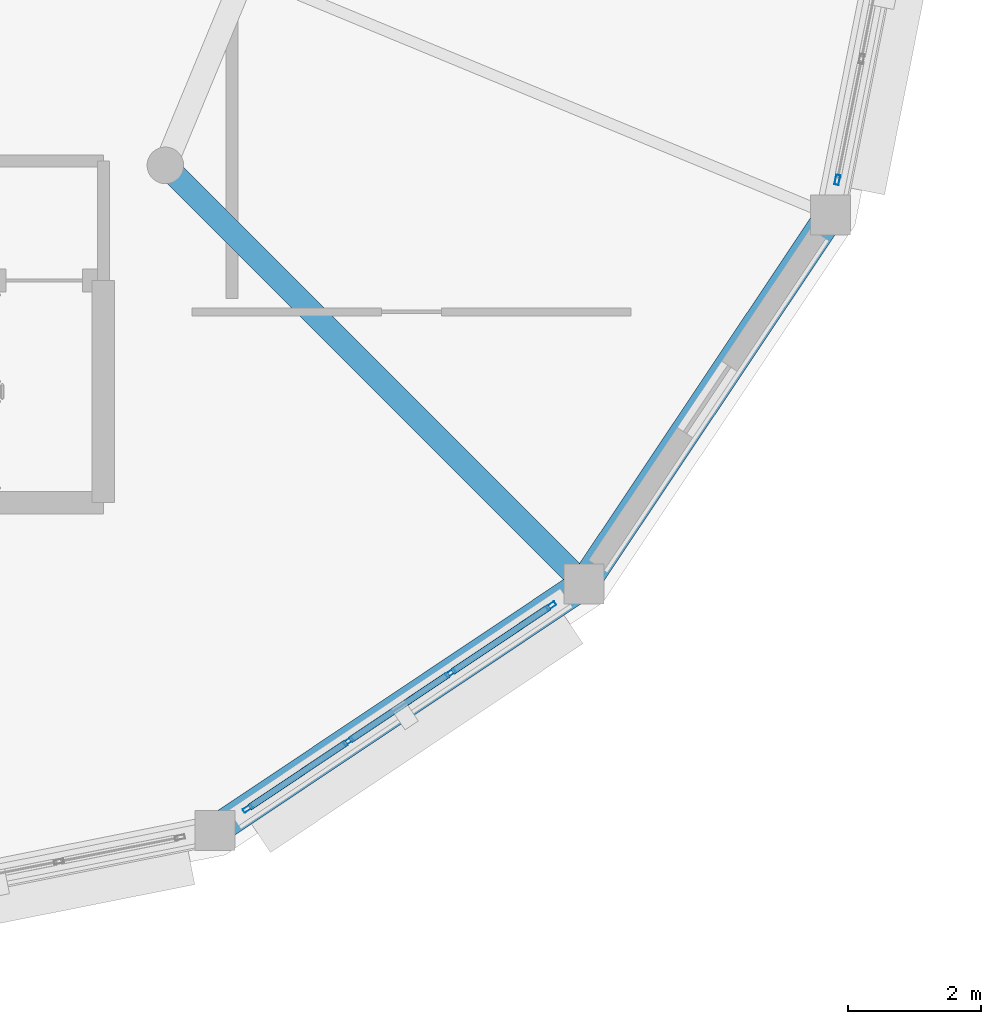
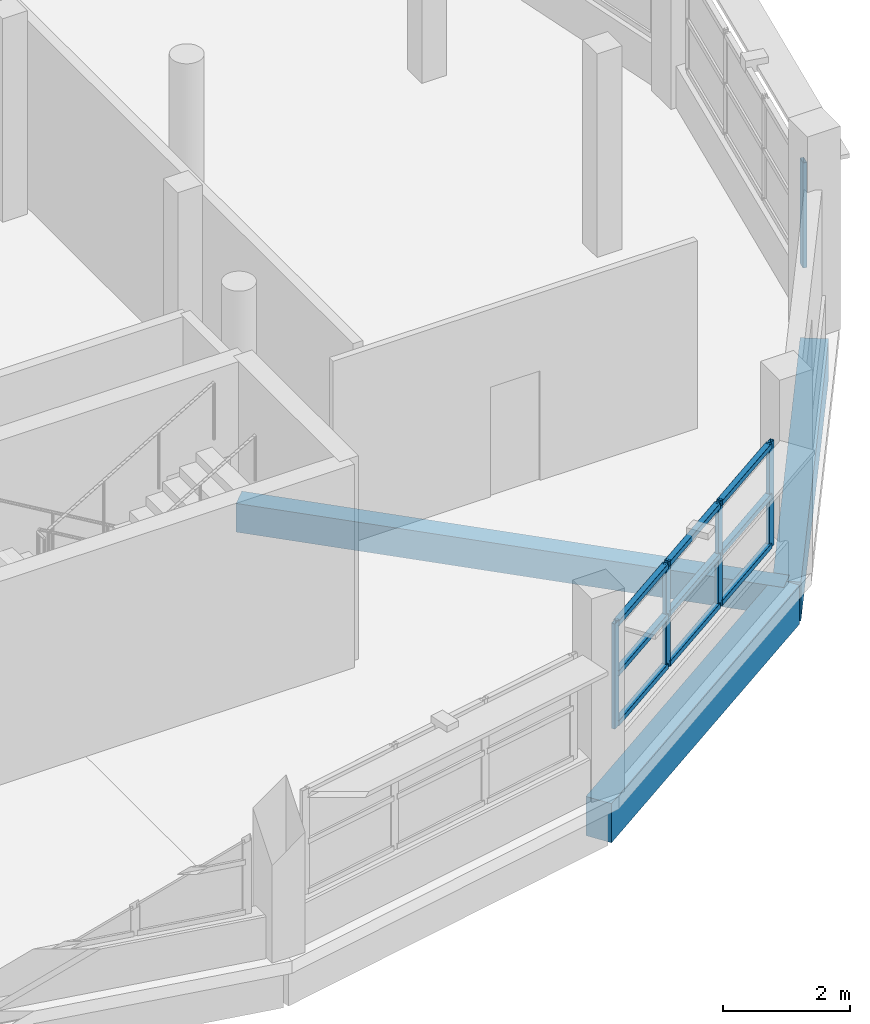
# One storey, part 67 of 121: 14 members, 3 beams, 2 elements without a shape of their own.
"""IFC4 building model written with IfcOpenShell, lengths in metres."""

from ifc_helpers import new_model, si_unit, direction, frame, origin, origin_2d, place, context, subcontext, project, spatial, rectangle, hollow_rectangle, extrude, material, layer, layer_set, material_profile, profile_set, type_object, element, aggregate, save


model = new_model("IFC4")

# Units and contexts
model_context = context("Model", 3, precision=1e-05, world=origin(), true_north=direction((0.0, 1.0)))
body_context = subcontext(model_context, "Body", "Model", "MODEL_VIEW")
ifc_project = project(units=[si_unit("LENGTHUNIT", "METRE"), si_unit("AREAUNIT", "SQUARE_METRE"), si_unit("VOLUMEUNIT", "CUBIC_METRE"), si_unit("PLANEANGLEUNIT", "RADIAN"), si_unit("MASSUNIT", "GRAM", prefix="KILO")], contexts=[model_context])

# Site, building, storey
site_placement = place(None, origin())
site = spatial("IfcSite", under=ifc_project, at=site_placement, CompositionType="ELEMENT")
building_placement = place(site_placement, origin())
building = spatial("IfcBuilding", under=site, at=building_placement, Name="Vespera Passage Community Centre", CompositionType="ELEMENT")
storey_placement = place(building_placement, frame((0.0, 0.0, 8.699951171875)))
storey = spatial("IfcBuildingStorey", under=building, at=storey_placement, Name="L02", CompositionType="ELEMENT", Elevation=8.699951171875)

# Beams
ifc_material_1 = material(Name="Concrete f'c 35 MPa", Category="concrete")
ifc_material_profile_1 = material_profile(ifc_material_1, rectangle(XDim=0.35009765625, YDim=0.550048828125, at=origin_2d()), Name="RC350X550")
ifc_profile_set_1 = profile_set([ifc_material_profile_1], Name="Concrete f'c 35 MPa")
beam_type_1 = type_object("IfcBeamType", Name="BM-J-350X550", PredefinedType="JOIST", material=ifc_profile_set_1)
beam_placement = place(storey_placement, frame((146.79833984375, 19.20166015625, -0.514892578125), z_axis=(0.707106781187, -0.707106781187, 0.0), x_axis=(0.707106781187, 0.707106781187, 0.0)))
element("IfcBeam", 1, at=beam_placement, inside=storey, type_object=beam_type_1, Name="V3 L02 Radial Girder 8", PredefinedType="JOIST", context=body_context, shape_type="SweptSolid", body=[
    extrude(rectangle(XDim=0.35009765625, YDim=0.550048828125, at=origin_2d()), origin(), (0.0, 0.0, 1.0), 8.89990234375),
])
ifc_material_2 = material(Name="Concrete f'c 35 MPa", Category="concrete")
ifc_material_profile_2 = material_profile(ifc_material_2, rectangle(XDim=0.449951171875, YDim=0.75, at=origin_2d()), Name="RC450X750")
ifc_profile_set_2 = profile_set([ifc_material_profile_2], Name="Concrete f'c 35 MPa")
beam_type_2 = type_object("IfcBeamType", Name="BM-SP-450X750E", PredefinedType="SPANDREL", material=ifc_profile_set_2)
for number, where, z_axis, x_axis, name in (
    (2, (147.5439453125, 9.20166015625, -0.614990234375), (0.831470004276, 0.55556964639, 0.0), (-0.55556964639, 0.831470004276, 0.0), "V3 L02 Spandrel 14"),
    (3, (153.091552734375, 12.908447265625, -0.614990234375), (0.55556964639, 0.831470004276, 0.0), (-0.831470004276, 0.55556964639, 0.0), "V3 L02 Spandrel 15"),
):
    element("IfcBeam", number, at=place(storey_placement, frame(where, z_axis=z_axis, x_axis=x_axis)), inside=storey, type_object=beam_type_2, Name=name, PredefinedType="SPANDREL", context=body_context, shape_type="SweptSolid", body=[
        extrude(rectangle(XDim=0.449951171875, YDim=0.75, at=origin_2d()), origin(), (0.0, 0.0, 1.0), 6.672119140625),
    ])

# Curtain wall, members
ifc_material_3 = material(Name="Anodized aluminium 6063-T6", Category="aluminium")
ifc_layer_1 = layer(ifc_material_3, 0.159912109375)
ifc_layer_set_1 = layer_set([ifc_layer_1], Name="Anodized aluminium 6063-T6")
curtain_wall_type_1 = type_object("IfcCurtainWallType", Name="CW-109E", PredefinedType="NOTDEFINED", material=ifc_layer_set_1)
curtain_wall_1_placement = place(storey_placement, origin())
curtain_wall_1 = element("IfcCurtainWall", 4, at=curtain_wall_1_placement, inside=storey, type_object=curtain_wall_type_1, Name="Dining Drum Ribbon Curtain Wall L02.14", PredefinedType="NOTDEFINED")
ifc_material_4 = material(Name="Anodized aluminium 6063-T6", Category="aluminium")
ifc_material_profile_3 = material_profile(ifc_material_4, hollow_rectangle(XDim=0.06494140625, YDim=0.14990234375, WallThickness=0.00390625, InnerFilletRadius=0.001953125, OuterFilletRadius=0.00390625, at=origin_2d()), Name="ALU150X65X4")
ifc_profile_set_3 = profile_set([ifc_material_profile_3], Name="Anodized aluminium 6063-T6")
member_type_1 = type_object("IfcMemberType", Name="MB-CWM-150E", PredefinedType="MULLION", material=ifc_profile_set_3)
member_1_placement = place(storey_placement, frame((152.59814453125, 12.578857421875, 0.800048828125), z_axis=(0.0, 0.0, 1.0), x_axis=(0.555564700918, -0.831473308708, 0.0)))
member_1 = element("IfcMember", 5, at=member_1_placement, type_object=member_type_1, Name="CW-109E mullion 1", PredefinedType="MULLION", context=body_context, shape_type="SweptSolid", body=[
    extrude(hollow_rectangle(XDim=0.06494140625, YDim=0.14990234375, WallThickness=0.00390625, InnerFilletRadius=0.001953125, OuterFilletRadius=0.00390625, at=origin_2d()), origin(), (0.0, 0.0, 1.0), 2.014892578125),
])
member_2_placement = place(storey_placement, frame((151.0869140625, 11.569091796875, 0.800048828125), z_axis=(0.0, 0.0, 1.0), x_axis=(0.555564700918, -0.831473308708, 0.0)))
member_2 = element("IfcMember", 6, at=member_2_placement, type_object=member_type_1, Name="CW-109E mullion 2", PredefinedType="MULLION", context=body_context, shape_type="SweptSolid", body=[
    extrude(hollow_rectangle(XDim=0.06494140625, YDim=0.14990234375, WallThickness=0.00390625, InnerFilletRadius=0.001953125, OuterFilletRadius=0.00390625, at=origin_2d()), origin(), (0.0, 0.0, 1.0), 2.014892578125),
])
member_3_placement = place(storey_placement, frame((149.548583984375, 10.541259765625, 0.800048828125), z_axis=(0.0, 0.0, 1.0), x_axis=(0.555564700918, -0.831473308708, 0.0)))
member_3 = element("IfcMember", 7, at=member_3_placement, type_object=member_type_1, Name="CW-109E mullion 3", PredefinedType="MULLION", context=body_context, shape_type="SweptSolid", body=[
    extrude(hollow_rectangle(XDim=0.06494140625, YDim=0.14990234375, WallThickness=0.00390625, InnerFilletRadius=0.001953125, OuterFilletRadius=0.00390625, at=origin_2d()), origin(), (0.0, 0.0, 1.0), 2.014892578125),
])
member_4_placement = place(storey_placement, frame((148.037109375, 9.53125, 0.800048828125), z_axis=(0.0, 0.0, 1.0), x_axis=(0.555564700918, -0.831473308708, 0.0)))
member_4 = element("IfcMember", 8, at=member_4_placement, type_object=member_type_1, Name="CW-109E mullion 4", PredefinedType="MULLION", context=body_context, shape_type="SweptSolid", body=[
    extrude(hollow_rectangle(XDim=0.06494140625, YDim=0.14990234375, WallThickness=0.00390625, InnerFilletRadius=0.001953125, OuterFilletRadius=0.00390625, at=origin_2d()), origin(), (0.0, 0.0, 1.0), 2.014892578125),
])

# Curtain wall, member
ifc_material_5 = material(Name="Anodized aluminium 6063-T6", Category="aluminium")
ifc_layer_2 = layer(ifc_material_5, 0.159912109375)
ifc_layer_set_2 = layer_set([ifc_layer_2], Name="Anodized aluminium 6063-T6")
curtain_wall_type_2 = type_object("IfcCurtainWallType", Name="CW-108E", PredefinedType="NOTDEFINED", material=ifc_layer_set_2)
curtain_wall_2_placement = place(storey_placement, origin())
curtain_wall_2 = element("IfcCurtainWall", 9, at=curtain_wall_2_placement, inside=storey, type_object=curtain_wall_type_2, Name="Dining Drum Ribbon Curtain Wall L02.16", PredefinedType="NOTDEFINED")
member_5_placement = place(storey_placement, frame((156.9033203125, 18.984130859375, 0.800048828125), z_axis=(0.0, 0.0, 1.0), x_axis=(0.980783996069, -0.195096778691, 0.0)))
member_5 = element("IfcMember", 10, at=member_5_placement, type_object=member_type_1, Name="CW-108E mullion 4", PredefinedType="MULLION", context=body_context, shape_type="SweptSolid", body=[
    extrude(hollow_rectangle(XDim=0.06494140625, YDim=0.14990234375, WallThickness=0.00390625, InnerFilletRadius=0.001953125, OuterFilletRadius=0.00390625, at=origin_2d()), origin(), (0.0, 0.0, 1.0), 2.014892578125),
])
aggregate(curtain_wall_2, [member_5])

# Member
ifc_material_6 = material(Name="Anodized aluminium 6063-T6", Category="aluminium")
ifc_material_profile_4 = material_profile(ifc_material_6, hollow_rectangle(XDim=0.10009765625, YDim=0.10009765625, WallThickness=0.00390625, InnerFilletRadius=0.001953125, OuterFilletRadius=0.00390625, at=origin_2d()), Name="ALU100X100X4")
ifc_profile_set_4 = profile_set([ifc_material_profile_4], Name="Anodized aluminium 6063-T6")
member_type_2 = type_object("IfcMemberType", Name="MB-CWT-100E", PredefinedType="USERDEFINED", material=ifc_profile_set_4)
member_6_placement = place(storey_placement, frame((152.571044921875, 12.560791015625, 0.85009765625), z_axis=(-0.831492667194, -0.555535727386, 0.0), x_axis=(0.555535727386, -0.831492667194, 0.0)))
member_6 = element("IfcMember", 11, at=member_6_placement, type_object=member_type_2, Name="CW-109E transom 1.1", ObjectType="TRANSOM", PredefinedType="USERDEFINED", context=body_context, shape_type="SweptSolid", body=[
    extrude(hollow_rectangle(XDim=0.10009765625, YDim=0.10009765625, WallThickness=0.00390625, InnerFilletRadius=0.001953125, OuterFilletRadius=0.00390625, at=origin_2d()), origin(), (0.0, 0.0, 1.0), 1.752685546875),
])

member_7_placement = place(storey_placement, frame((152.571044921875, 12.560791015625, 1.8076171875), z_axis=(-0.831492667194, -0.555535727386, 0.0), x_axis=(0.555535727386, -0.831492667194, 0.0)))
member_7 = element("IfcMember", 12, at=member_7_placement, type_object=member_type_2, Name="CW-109E transom 1.2", ObjectType="TRANSOM", PredefinedType="USERDEFINED", context=body_context, shape_type="SweptSolid", body=[
    extrude(hollow_rectangle(XDim=0.10009765625, YDim=0.10009765625, WallThickness=0.00390625, InnerFilletRadius=0.001953125, OuterFilletRadius=0.00390625, at=origin_2d()), origin(), (0.0, 0.0, 1.0), 1.752685546875),
])

member_8_placement = place(storey_placement, frame((152.571044921875, 12.560791015625, 2.76513671875), z_axis=(-0.831492667194, -0.555535727386, 0.0), x_axis=(0.555535727386, -0.831492667194, 0.0)))
member_8 = element("IfcMember", 13, at=member_8_placement, type_object=member_type_2, Name="CW-109E transom 1.3", ObjectType="TRANSOM", PredefinedType="USERDEFINED", context=body_context, shape_type="SweptSolid", body=[
    extrude(hollow_rectangle(XDim=0.10009765625, YDim=0.10009765625, WallThickness=0.00390625, InnerFilletRadius=0.001953125, OuterFilletRadius=0.00390625, at=origin_2d()), origin(), (0.0, 0.0, 1.0), 1.752685546875),
])

member_9_placement = place(storey_placement, frame((151.059814453125, 11.551025390625, 0.85009765625), z_axis=(-0.831502848374, -0.555520488502, 0.0), x_axis=(0.555520488502, -0.831502848374, 0.0)))
member_9 = element("IfcMember", 14, at=member_9_placement, type_object=member_type_2, Name="CW-109E transom 2.1", ObjectType="TRANSOM", PredefinedType="USERDEFINED", context=body_context, shape_type="SweptSolid", body=[
    extrude(hollow_rectangle(XDim=0.10009765625, YDim=0.10009765625, WallThickness=0.00390625, InnerFilletRadius=0.001953125, OuterFilletRadius=0.00390625, at=origin_2d()), origin(), (0.0, 0.0, 1.0), 1.78515625),
])

member_10_placement = place(storey_placement, frame((151.059814453125, 11.551025390625, 1.8076171875), z_axis=(-0.831502848374, -0.555520488502, 0.0), x_axis=(0.555520488502, -0.831502848374, 0.0)))
member_10 = element("IfcMember", 15, at=member_10_placement, type_object=member_type_2, Name="CW-109E transom 2.2", ObjectType="TRANSOM", PredefinedType="USERDEFINED", context=body_context, shape_type="SweptSolid", body=[
    extrude(hollow_rectangle(XDim=0.10009765625, YDim=0.10009765625, WallThickness=0.00390625, InnerFilletRadius=0.001953125, OuterFilletRadius=0.00390625, at=origin_2d()), origin(), (0.0, 0.0, 1.0), 1.78515625),
])

member_11_placement = place(storey_placement, frame((151.059814453125, 11.551025390625, 2.76513671875), z_axis=(-0.831502848374, -0.555520488502, 0.0), x_axis=(0.555520488502, -0.831502848374, 0.0)))
member_11 = element("IfcMember", 16, at=member_11_placement, type_object=member_type_2, Name="CW-109E transom 2.3", ObjectType="TRANSOM", PredefinedType="USERDEFINED", context=body_context, shape_type="SweptSolid", body=[
    extrude(hollow_rectangle(XDim=0.10009765625, YDim=0.10009765625, WallThickness=0.00390625, InnerFilletRadius=0.001953125, OuterFilletRadius=0.00390625, at=origin_2d()), origin(), (0.0, 0.0, 1.0), 1.78515625),
])

member_12_placement = place(storey_placement, frame((149.521484375, 10.523193359375, 0.85009765625), z_axis=(-0.831428319751, -0.555632026719, 0.0), x_axis=(0.555632026719, -0.831428319751, 0.0)))
member_12 = element("IfcMember", 17, at=member_12_placement, type_object=member_type_2, Name="CW-109E transom 3.1", ObjectType="TRANSOM", PredefinedType="USERDEFINED", context=body_context, shape_type="SweptSolid", body=[
    extrude(hollow_rectangle(XDim=0.10009765625, YDim=0.10009765625, WallThickness=0.00390625, InnerFilletRadius=0.001953125, OuterFilletRadius=0.00390625, at=origin_2d()), origin(), (0.0, 0.0, 1.0), 1.752685546875),
])

member_13_placement = place(storey_placement, frame((149.521484375, 10.523193359375, 1.8076171875), z_axis=(-0.831428319751, -0.555632026719, 0.0), x_axis=(0.555632026719, -0.831428319751, 0.0)))
member_13 = element("IfcMember", 18, at=member_13_placement, type_object=member_type_2, Name="CW-109E transom 3.2", ObjectType="TRANSOM", PredefinedType="USERDEFINED", context=body_context, shape_type="SweptSolid", body=[
    extrude(hollow_rectangle(XDim=0.10009765625, YDim=0.10009765625, WallThickness=0.00390625, InnerFilletRadius=0.001953125, OuterFilletRadius=0.00390625, at=origin_2d()), origin(), (0.0, 0.0, 1.0), 1.752685546875),
])

member_14_placement = place(storey_placement, frame((149.521484375, 10.523193359375, 2.76513671875), z_axis=(-0.831428319751, -0.555632026719, 0.0), x_axis=(0.555632026719, -0.831428319751, 0.0)))
member_14 = element("IfcMember", 19, at=member_14_placement, type_object=member_type_2, Name="CW-109E transom 3.3", ObjectType="TRANSOM", PredefinedType="USERDEFINED", context=body_context, shape_type="SweptSolid", body=[
    extrude(hollow_rectangle(XDim=0.10009765625, YDim=0.10009765625, WallThickness=0.00390625, InnerFilletRadius=0.001953125, OuterFilletRadius=0.00390625, at=origin_2d()), origin(), (0.0, 0.0, 1.0), 1.752685546875),
])

aggregate(curtain_wall_1, [member_1, member_2, member_3, member_4, member_6, member_7, member_8, member_9, member_10, member_11, member_12, member_13, member_14])

save(model, "model.ifc")
